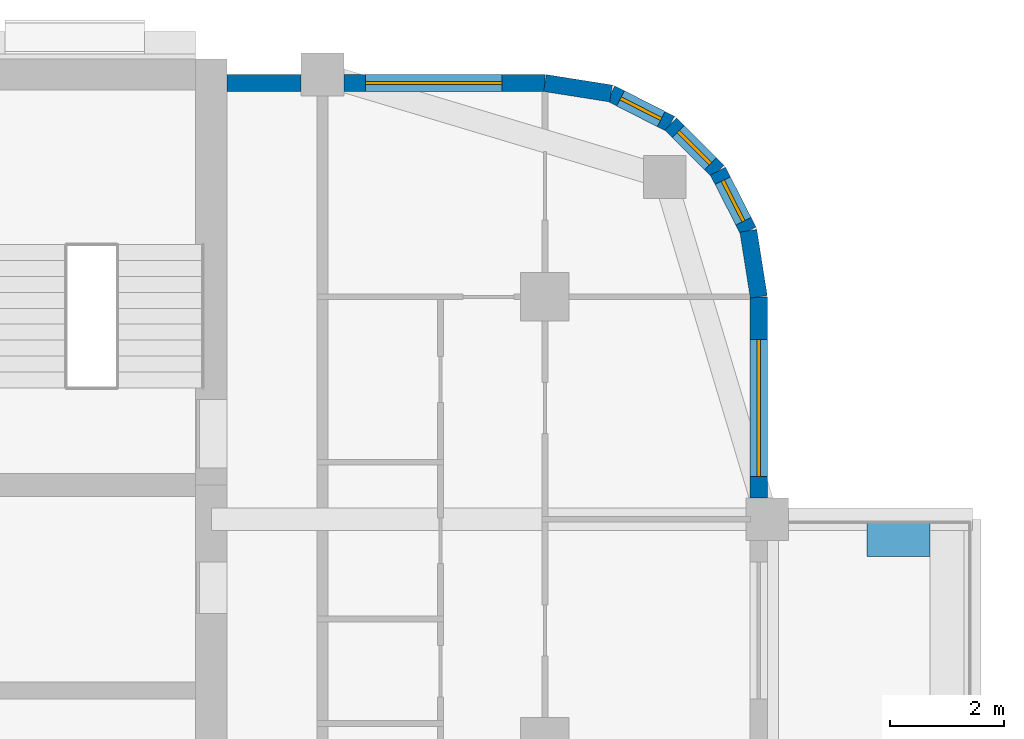
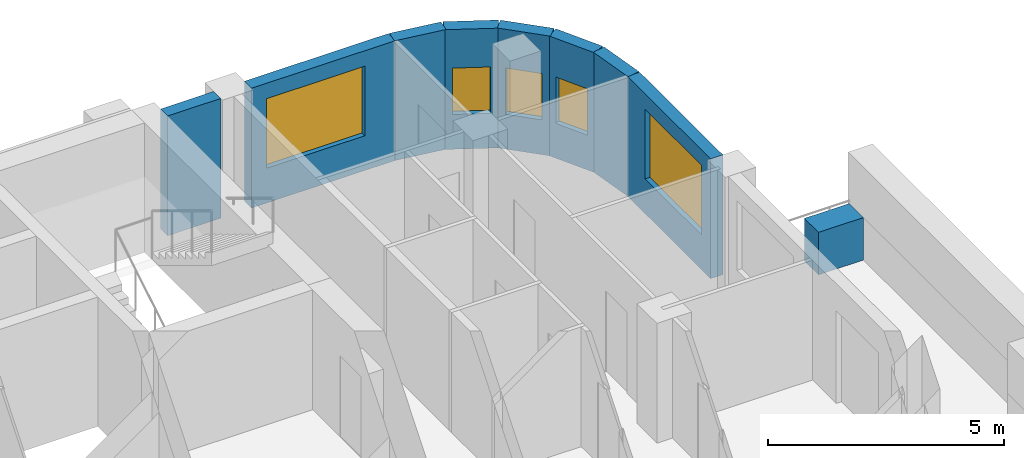
# One storey, part 9 of 13: 9 walls, 5 windows, 5 openings.
"""IFC4 building model written with IfcOpenShell, lengths in metres."""

import ifcopenshell
import ifcopenshell.guid

model = None  # the IFC model being written
_history = None  # IfcOwnerHistory: only IFC2X3 demands one
_inside = {}  # id of a spatial element -> (the spatial element, [elements in it])
_under = {}  # id of a project, library or spatial element -> (it, [spatial elements below it])
_declared = {}  # id of a project -> (the project, [libraries it declares])
_typed = {}  # id of a type object -> (the type object, [elements of that type])
_made_of = {}  # id of a material, layer set ... -> (it, [elements and type objects made of it])


def new_model(schema):
    """Start an empty IFC model of exactly this schema.

    Asked for "IFC4X3", IfcOpenShell would pick the latest addendum, in which some entities
    have other attributes; the version numbers below select the first issue.
    IFC2X3 requires an IfcOwnerHistory on every rooted entity: one is made here for all.
    """
    global model, _history
    if schema == "IFC4X3":
        model = ifcopenshell.file(schema_version=(4, 3, 0, 0))
    else:
        model = ifcopenshell.file(schema=schema)
    _inside.clear()
    _under.clear()
    _declared.clear()
    _typed.clear()
    _made_of.clear()
    _history = None
    if model.schema == "IFC2X3":
        org = make("IfcOrganization", Name="unknown")
        user = make(
            "IfcPersonAndOrganization",
            ThePerson=make("IfcPerson", FamilyName="unknown"),
            TheOrganization=org,
        )
        app = make(
            "IfcApplication",
            ApplicationDeveloper=org,
            Version="unknown",
            ApplicationFullName="unknown",
            ApplicationIdentifier="unknown",
        )
        _history = make(
            "IfcOwnerHistory",
            OwningUser=user,
            OwningApplication=app,
            ChangeAction="ADDED",
            CreationDate=0,
        )
    return model


def make(cls, **values):
    """One entity of the class cls with the attributes given. An attribute that is None is left unset."""
    return model.create_entity(
        cls, **{name: value for name, value in values.items() if value is not None}
    )


def rooted(cls, **values):
    """An entity with a GlobalId (a new one), such as an element, a storey or a relation."""
    return make(cls, GlobalId=ifcopenshell.guid.new(), OwnerHistory=_history, **values)


def si_unit(unit_type, name, prefix=None):
    """IfcSIUnit, for example si_unit("LENGTHUNIT", "METRE", prefix="MILLI")."""
    return make("IfcSIUnit", UnitType=unit_type, Prefix=prefix, Name=name)


def assignment(units):
    """IfcUnitAssignment: the units of a project."""
    return None if units is None else make("IfcUnitAssignment", Units=units)


def point(xyz):
    """IfcCartesianPoint."""
    return None if xyz is None else make("IfcCartesianPoint", Coordinates=xyz)


def direction(xyz):
    """IfcDirection."""
    return None if xyz is None else make("IfcDirection", DirectionRatios=xyz)


def frame(location, z_axis=None, x_axis=None):
    """IfcAxis2Placement3D, a coordinate frame: its origin and axes. An axis left out is left unset."""
    return make(
        "IfcAxis2Placement3D",
        Location=point(location),
        Axis=direction(z_axis),
        RefDirection=direction(x_axis),
    )


def frame_2d(location, x_axis=None):
    """IfcAxis2Placement2D, a coordinate frame in the plane: its origin and x axis."""
    return make(
        "IfcAxis2Placement2D", Location=point(location), RefDirection=direction(x_axis)
    )


def origin():
    """The frame at (0, 0, 0) with its axes left unset."""
    return frame((0.0, 0.0, 0.0))


def place(relative_to, where):
    """IfcLocalPlacement: puts the frame where relative to a parent placement (None: the world)."""
    return make(
        "IfcLocalPlacement", PlacementRelTo=relative_to, RelativePlacement=where
    )


def context(
    kind, dimensions, precision=None, world=None, true_north=None, identifier=None
):
    """IfcGeometricRepresentationContext, for example the 3D "Model" context."""
    return make(
        "IfcGeometricRepresentationContext",
        ContextIdentifier=identifier,
        ContextType=kind,
        CoordinateSpaceDimension=dimensions,
        Precision=precision,
        WorldCoordinateSystem=world,
        TrueNorth=true_north,
    )


def subcontext(parent, identifier, kind, view, scale=None):
    """IfcGeometricRepresentationSubContext, for example "Body" below "Model"."""
    return make(
        "IfcGeometricRepresentationSubContext",
        ContextIdentifier=identifier,
        ContextType=kind,
        ParentContext=parent,
        TargetScale=scale,
        TargetView=view,
    )


def project(units=None, contexts=None):
    """IfcProject with its units and contexts."""
    return rooted(
        "IfcProject",
        Name="project",
        RepresentationContexts=contexts,
        UnitsInContext=assignment(units),
    )


def spatial(cls, under=None, at=None, **own):
    """A site, building, storey or space (cls), placed at a placement, below another one or the project."""
    s = rooted(cls, ObjectPlacement=at, **own)
    if under is not None:
        _under.setdefault(under.id(), (under, []))[1].append(s)
    return s


def profile(cls, at=None, kind="AREA", **sizes):
    """A parametric profile (cls). Its sizes go by their IFC names, for example OverallWidth=200.0."""
    return make(cls, ProfileType=kind, Position=at, **sizes)


def rectangle(**sizes):
    """IfcRectangleProfileDef."""
    return profile("IfcRectangleProfileDef", **sizes)


def extrude(swept, where, along, depth):
    """IfcExtrudedAreaSolid: the profile swept, set in the frame where, extruded along a direction by depth."""
    return make(
        "IfcExtrudedAreaSolid",
        SweptArea=swept,
        Position=where,
        ExtrudedDirection=direction(along),
        Depth=depth,
    )


def shape(context_of_items, identifier, shape_type, items):
    """IfcShapeRepresentation: the items that make up one representation, for example the "Body"."""
    return make(
        "IfcShapeRepresentation",
        ContextOfItems=context_of_items,
        RepresentationIdentifier=identifier,
        RepresentationType=shape_type,
        Items=items,
    )


def material(Name=None, Category=None):
    """IfcMaterial."""
    return make("IfcMaterial", Name=Name, Category=Category)


def layer(
    of_material, thickness, ventilated=None, Name=None, Category=None, Priority=None
):
    """IfcMaterialLayer: one layer of a wall or slab, of a material (None: an air gap)."""
    return make(
        "IfcMaterialLayer",
        Material=of_material,
        LayerThickness=thickness,
        IsVentilated=ventilated,
        Name=Name,
        Category=Category,
        Priority=Priority,
    )


def layer_set(layers, Name=None):
    """IfcMaterialLayerSet."""
    return make("IfcMaterialLayerSet", MaterialLayers=layers, LayerSetName=Name)


def made_of(thing, what):
    """Note that an element or type object is made of a material, layer set ...; save() writes the relation."""
    if what is not None:
        _made_of.setdefault(what.id(), (what, []))[1].append(thing)
    return thing


def type_object(cls, material=None, **own):
    """A type object (cls), such as IfcWallType, which elements share."""
    return made_of(rooted(cls, **own), material)


def element(
    cls,
    number,
    at=None,
    inside=None,
    cuts=None,
    type_object=None,
    material=None,
    context=None,
    identifier="Body",
    shape_type=None,
    held_by="IfcProductDefinitionShape",
    body=None,
    shapes=None,
    **own,
):
    """One element of the class cls, such as IfcWall. Its Tag is "e" and its number.

    at: its placement. inside: the storey or other place that contains it. cuts: it is an
    opening in that element (IfcRelVoidsElement). A single representation is given by context,
    identifier, shape_type and body (its items); several are given by shapes. held_by: the class
    of the entity that holds the representations. save() writes the other relations.
    """
    e = rooted(cls, Tag="e%d" % number, ObjectPlacement=at, **own)
    if body is not None:
        shapes = [shape(context, identifier, shape_type, body)]
    if shapes is not None:
        e.Representation = make(held_by, Representations=shapes)
    if inside is not None:
        _inside.setdefault(inside.id(), (inside, []))[1].append(e)
    if cuts is not None:
        rooted(
            "IfcRelVoidsElement", RelatingBuildingElement=cuts, RelatedOpeningElement=e
        )
    if type_object is not None:
        _typed.setdefault(type_object.id(), (type_object, []))[1].append(e)
    return made_of(e, material)


def fill(opening, filler):
    """IfcRelFillsElement: the door or window that sits in an opening."""
    return rooted(
        "IfcRelFillsElement",
        RelatingOpeningElement=opening,
        RelatedBuildingElement=filler,
    )


def aggregate(whole, parts):
    """IfcRelAggregates: a whole, such as a stair, and the parts it consists of."""
    return rooted("IfcRelAggregates", RelatingObject=whole, RelatedObjects=parts)


def save(model, path):
    """Write the relations noted so far, then the file.

    IfcRelAggregates (storeys below a building ...), IfcRelContainedInSpatialStructure (elements
    in a storey), IfcRelDefinesByType, IfcRelAssociatesMaterial and IfcRelDeclares: one each for
    every whole, place, type object, material and project.
    """
    for whole, parts in _under.values():
        aggregate(whole, parts)
    for where, things in _inside.values():
        rooted(
            "IfcRelContainedInSpatialStructure",
            RelatedElements=things,
            RelatingStructure=where,
        )
    for kind, things in _typed.values():
        rooted("IfcRelDefinesByType", RelatedObjects=things, RelatingType=kind)
    for what, things in _made_of.values():
        rooted("IfcRelAssociatesMaterial", RelatedObjects=things, RelatingMaterial=what)
    for by, libraries in _declared.values():
        rooted("IfcRelDeclares", RelatingContext=by, RelatedDefinitions=libraries)
    model.write(path)


model = new_model("IFC4")

# Units and contexts
model_context = context("Model", 3, precision=1e-05, world=origin(), true_north=direction((0.0, 1.0)))
body_context = subcontext(model_context, "Body", "Model", "MODEL_VIEW")
ifc_project = project(units=[si_unit("LENGTHUNIT", "METRE"), si_unit("AREAUNIT", "SQUARE_METRE"), si_unit("VOLUMEUNIT", "CUBIC_METRE"), si_unit("PLANEANGLEUNIT", "RADIAN"), si_unit("MASSUNIT", "GRAM", prefix="KILO")], contexts=[model_context])

# Site, building, storey
site_placement = place(None, origin())
site = spatial("IfcSite", under=ifc_project, at=site_placement, CompositionType="ELEMENT")
building_placement = place(site_placement, origin())
building = spatial("IfcBuilding", under=site, at=building_placement, Name="Ludao Terraces", CompositionType="ELEMENT")
storey_placement = place(building_placement, frame((0.0, 0.0, 169.0)))
storey = spatial("IfcBuildingStorey", under=building, at=storey_placement, Name="L46", CompositionType="ELEMENT", Elevation=169.0)

# Wall
ifc_material_1 = material(Name="Concrete C40", Category="concrete")
ifc_layer_1 = layer(ifc_material_1, 0.60009765625)
ifc_layer_set_1 = layer_set([ifc_layer_1], Name="ENV Planter trough 600")
wall_type_1 = type_object("IfcWallType", Name="ENV Planter trough 600", PredefinedType="USERDEFINED", material=ifc_layer_set_1)
wall_1_placement = place(storey_placement, frame((107.35009765625, 76.35009765625, 0.0), z_axis=(0.0, 0.0, 1.0), x_axis=(-1.0, 0.0, 0.0)))
element("IfcWall", 1, at=wall_1_placement, inside=storey, type_object=wall_type_1, Name="PL-L46-E3-SB", ObjectType="PLANTER", PredefinedType="USERDEFINED", context=body_context, shape_type="SweptSolid", body=[
    extrude(rectangle(XDim=1.10009765625, YDim=0.60009765625, at=frame_2d((0.550048828125, 0.0))), origin(), (0.0, 0.0, 1.0), 1.10009765625),
])

# Wall, opening, window
ifc_material_2 = material(Name="Granite cladding", Category="masonry")
ifc_layer_2 = layer(ifc_material_2, 0.0400390625, Category="stone")
ifc_material_3 = material(Name="Mineral wool")
ifc_layer_3 = layer(ifc_material_3, 0.06005859375)
ifc_layer_4 = layer(ifc_material_1, 0.199951171875, Category="concrete")
ifc_layer_set_2 = layer_set([ifc_layer_2, ifc_layer_3, ifc_layer_4], Name="ENV Stone-clad wall 300")
wall_type_2 = type_object("IfcWallType", Name="ENV Stone-clad wall 300", PredefinedType="SOLIDWALL", material=ifc_layer_set_2)
wall_2_placement = place(storey_placement, frame((104.35009765625, 77.074951171875, 0.0), z_axis=(0.0, 0.0, 1.0), x_axis=(0.0, 1.0, 0.0)))
wall_2 = element("IfcWall", 2, at=wall_2_placement, inside=storey, type_object=wall_type_2, Name="EW-L46-E5", PredefinedType="SOLIDWALL", context=body_context, shape_type="SweptSolid", body=[
    extrude(rectangle(XDim=3.525146484375, YDim=0.300048828125, at=frame_2d((1.7626953125, 0.0))), origin(), (0.0, 0.0, 1.0), 3.10009765625),
])
opening_1_placement = place(wall_2_placement, frame((0.375, 0.0, 0.89990234375)))
opening_1 = element("IfcOpeningElement", 3, at=opening_1_placement, cuts=wall_2, Name="Opening W1", PredefinedType="OPENING", context=body_context, shape_type="SweptSolid", body=[
    extrude(rectangle(XDim=2.39990234375, YDim=1.800048828125, at=frame_2d((1.199951171875, 0.89990234375))), frame((0.0, 0.16015625, 0.0), z_axis=(0.0, -1.0, 0.0), x_axis=(1.0, 0.0, 0.0)), (0.0, 0.0, 1.0), 0.320068359375),
])
ifc_material_4 = material(Name="Clear glass in aluminium frame", Category="aluminium")
ifc_layer_5 = layer(ifc_material_4, 0.06005859375)
ifc_layer_set_3 = layer_set([ifc_layer_5], Name="ENV Window W1 2400x1800")
window_type_1 = type_object("IfcWindowType", Name="ENV Window W1 2400x1800", PartitioningType="DOUBLE_PANEL_VERTICAL", PredefinedType="WINDOW", material=ifc_layer_set_3)
window_1_placement = place(opening_1_placement, origin())
window_1 = element("IfcWindow", 4, at=window_1_placement, inside=storey, type_object=window_type_1, Name="W-L46-E5-1", OverallHeight=1.800048828125, OverallWidth=2.39990234375, PartitioningType="DOUBLE_PANEL_VERTICAL", PredefinedType="WINDOW", context=body_context, shape_type="SweptSolid", body=[
    extrude(rectangle(XDim=2.39990234375, YDim=1.800048828125, at=frame_2d((1.199951171875, 0.89990234375))), frame((0.0, 0.030029296875, 0.0), z_axis=(0.0, -1.0, 0.0), x_axis=(1.0, 0.0, 0.0)), (0.0, 0.0, 1.0), 0.06005859375),
])
fill(opening_1, window_1)

# Wall
wall_3_placement = place(storey_placement, frame((95.02490234375, 84.35009765625, 0.0), z_axis=(0.0, 0.0, 1.0), x_axis=(1.0, 0.0, 0.0)))
element("IfcWall", 5, at=wall_3_placement, inside=storey, type_object=wall_type_2, Name="EW-L46-N3", PredefinedType="SOLIDWALL", context=body_context, shape_type="SweptSolid", body=[
    extrude(rectangle(XDim=1.300048828125, YDim=0.300048828125, at=frame_2d((0.64990234375, 0.0))), origin(), (0.0, 0.0, 1.0), 3.10009765625),
])

# Wall, opening, window
wall_4_placement = place(storey_placement, frame((97.074951171875, 84.35009765625, 0.0), z_axis=(0.0, 0.0, 1.0), x_axis=(1.0, 0.0, 0.0)))
wall_4 = element("IfcWall", 6, at=wall_4_placement, inside=storey, type_object=wall_type_2, Name="EW-L46-N4", PredefinedType="SOLIDWALL", context=body_context, shape_type="SweptSolid", body=[
    extrude(rectangle(XDim=3.525146484375, YDim=0.300048828125, at=frame_2d((1.7626953125, 0.0))), origin(), (0.0, 0.0, 1.0), 3.10009765625),
])
opening_2_placement = place(wall_4_placement, frame((0.375, 0.0, 0.89990234375)))
opening_2 = element("IfcOpeningElement", 7, at=opening_2_placement, cuts=wall_4, Name="Opening W1", PredefinedType="OPENING", context=body_context, shape_type="SweptSolid", body=[
    extrude(rectangle(XDim=2.39990234375, YDim=1.800048828125, at=frame_2d((1.199951171875, 0.89990234375))), frame((0.0, 0.16015625, 0.0), z_axis=(0.0, -1.0, 0.0), x_axis=(1.0, 0.0, 0.0)), (0.0, 0.0, 1.0), 0.320068359375),
])
window_2_placement = place(opening_2_placement, origin())
window_2 = element("IfcWindow", 8, at=window_2_placement, inside=storey, type_object=window_type_1, Name="W-L46-N4-1", OverallHeight=1.800048828125, OverallWidth=2.39990234375, PartitioningType="DOUBLE_PANEL_VERTICAL", PredefinedType="WINDOW", context=body_context, shape_type="SweptSolid", body=[
    extrude(rectangle(XDim=2.39990234375, YDim=1.800048828125, at=frame_2d((1.199951171875, 0.89990234375))), frame((0.0, 0.030029296875, 0.0), z_axis=(0.0, -1.0, 0.0), x_axis=(1.0, 0.0, 0.0)), (0.0, 0.0, 1.0), 0.06005859375),
])
fill(opening_2, window_2)

# Wall
wall_5_placement = place(storey_placement, frame((104.35009765625, 80.60009765625, 0.0), z_axis=(0.0, 0.0, 1.0), x_axis=(-0.156496880861, 0.987678452879, 0.0)))
element("IfcWall", 9, at=wall_5_placement, inside=storey, type_object=wall_type_2, Name="EW-L46-NE1", PredefinedType="SOLIDWALL", context=body_context, shape_type="SweptSolid", body=[
    extrude(rectangle(XDim=1.173095703125, YDim=0.300048828125, at=frame_2d((0.58642578125, 0.0))), origin(), (0.0, 0.0, 1.0), 3.10009765625),
])

# Wall, opening, window
wall_6_placement = place(storey_placement, frame((104.16650390625, 81.7587890625, 0.0), z_axis=(0.0, 0.0, 1.0), x_axis=(-0.454025524128, 0.890988677504, 0.0)))
wall_6 = element("IfcWall", 10, at=wall_6_placement, inside=storey, type_object=wall_type_2, Name="EW-L46-NE2", PredefinedType="SOLIDWALL", context=body_context, shape_type="SweptSolid", body=[
    extrude(rectangle(XDim=1.17333984375, YDim=0.300048828125, at=frame_2d((0.586669921875, 0.0))), origin(), (0.0, 0.0, 1.0), 3.10009765625),
])
opening_3_placement = place(wall_6_placement, frame((0.1865234375, 0.0, 0.89990234375)))
opening_3 = element("IfcOpeningElement", 11, at=opening_3_placement, cuts=wall_6, Name="Opening W3", PredefinedType="OPENING", context=body_context, shape_type="SweptSolid", body=[
    extrude(rectangle(XDim=0.800048828125, YDim=1.199951171875, at=frame_2d((0.39990234375, 0.60009765625))), frame((0.0, 0.16015625, 0.0), z_axis=(0.0, -1.0, 0.0), x_axis=(1.0, 0.0, 0.0)), (0.0, 0.0, 1.0), 0.320068359375),
])
ifc_layer_6 = layer(ifc_material_4, 0.06005859375)
ifc_layer_set_4 = layer_set([ifc_layer_6], Name="ENV Window W3 800x1200")
window_type_2 = type_object("IfcWindowType", Name="ENV Window W3 800x1200", PartitioningType="SINGLE_PANEL", PredefinedType="WINDOW", material=ifc_layer_set_4)
window_3_placement = place(opening_3_placement, origin())
window_3 = element("IfcWindow", 12, at=window_3_placement, inside=storey, type_object=window_type_2, Name="W-L46-NE2", OverallHeight=1.199951171875, OverallWidth=0.800048828125, PartitioningType="SINGLE_PANEL", PredefinedType="WINDOW", context=body_context, shape_type="SweptSolid", body=[
    extrude(rectangle(XDim=0.800048828125, YDim=1.199951171875, at=frame_2d((0.39990234375, 0.60009765625))), frame((0.0, 0.030029296875, 0.0), z_axis=(0.0, -1.0, 0.0), x_axis=(1.0, 0.0, 0.0)), (0.0, 0.0, 1.0), 0.06005859375),
])
fill(opening_3, window_3)

wall_7_placement = place(storey_placement, frame((103.6337890625, 82.80419921875, 0.0), z_axis=(0.0, 0.0, 1.0), x_axis=(-0.707106781187, 0.707106781187, 0.0)))
wall_7 = element("IfcWall", 13, at=wall_7_placement, inside=storey, type_object=wall_type_2, Name="EW-L46-NE3", PredefinedType="SOLIDWALL", context=body_context, shape_type="SweptSolid", body=[
    extrude(rectangle(XDim=1.173095703125, YDim=0.300048828125, at=frame_2d((0.58642578125, 0.0))), origin(), (0.0, 0.0, 1.0), 3.10009765625),
])
opening_4_placement = place(wall_7_placement, frame((0.1865234375, 0.0, 0.89990234375)))
opening_4 = element("IfcOpeningElement", 14, at=opening_4_placement, cuts=wall_7, Name="Opening W3", PredefinedType="OPENING", context=body_context, shape_type="SweptSolid", body=[
    extrude(rectangle(XDim=0.800048828125, YDim=1.199951171875, at=frame_2d((0.39990234375, 0.60009765625))), frame((0.0, 0.16015625, 0.0), z_axis=(0.0, -1.0, 0.0), x_axis=(1.0, 0.0, 0.0)), (0.0, 0.0, 1.0), 0.320068359375),
])
window_4_placement = place(opening_4_placement, origin())
window_4 = element("IfcWindow", 15, at=window_4_placement, inside=storey, type_object=window_type_2, Name="W-L46-NE3", OverallHeight=1.199951171875, OverallWidth=0.800048828125, PartitioningType="SINGLE_PANEL", PredefinedType="WINDOW", context=body_context, shape_type="SweptSolid", body=[
    extrude(rectangle(XDim=0.800048828125, YDim=1.199951171875, at=frame_2d((0.39990234375, 0.60009765625))), frame((0.0, 0.030029296875, 0.0), z_axis=(0.0, -1.0, 0.0), x_axis=(1.0, 0.0, 0.0)), (0.0, 0.0, 1.0), 0.06005859375),
])
fill(opening_4, window_4)

wall_8_placement = place(storey_placement, frame((102.80419921875, 83.6337890625, 0.0), z_axis=(0.0, 0.0, 1.0), x_axis=(-0.890988677504, 0.454025524128, 0.0)))
wall_8 = element("IfcWall", 16, at=wall_8_placement, inside=storey, type_object=wall_type_2, Name="EW-L46-NE4", PredefinedType="SOLIDWALL", context=body_context, shape_type="SweptSolid", body=[
    extrude(rectangle(XDim=1.17333984375, YDim=0.300048828125, at=frame_2d((0.586669921875, 0.0))), origin(), (0.0, 0.0, 1.0), 3.10009765625),
])
opening_5_placement = place(wall_8_placement, frame((0.1865234375, 0.0, 0.89990234375)))
opening_5 = element("IfcOpeningElement", 17, at=opening_5_placement, cuts=wall_8, Name="Opening W3", PredefinedType="OPENING", context=body_context, shape_type="SweptSolid", body=[
    extrude(rectangle(XDim=0.800048828125, YDim=1.199951171875, at=frame_2d((0.39990234375, 0.60009765625))), frame((0.0, 0.16015625, 0.0), z_axis=(0.0, -1.0, 0.0), x_axis=(1.0, 0.0, 0.0)), (0.0, 0.0, 1.0), 0.320068359375),
])
window_5_placement = place(opening_5_placement, origin())
window_5 = element("IfcWindow", 18, at=window_5_placement, inside=storey, type_object=window_type_2, Name="W-L46-NE4", OverallHeight=1.199951171875, OverallWidth=0.800048828125, PartitioningType="SINGLE_PANEL", PredefinedType="WINDOW", context=body_context, shape_type="SweptSolid", body=[
    extrude(rectangle(XDim=0.800048828125, YDim=1.199951171875, at=frame_2d((0.39990234375, 0.60009765625))), frame((0.0, 0.030029296875, 0.0), z_axis=(0.0, -1.0, 0.0), x_axis=(1.0, 0.0, 0.0)), (0.0, 0.0, 1.0), 0.06005859375),
])
fill(opening_5, window_5)

# Wall
wall_9_placement = place(storey_placement, frame((101.7587890625, 84.16650390625, 0.0), z_axis=(0.0, 0.0, 1.0), x_axis=(-0.987678452879, 0.156496880861, 0.0)))
element("IfcWall", 19, at=wall_9_placement, inside=storey, type_object=wall_type_2, Name="EW-L46-NE5", PredefinedType="SOLIDWALL", context=body_context, shape_type="SweptSolid", body=[
    extrude(rectangle(XDim=1.173095703125, YDim=0.300048828125, at=frame_2d((0.58642578125, 0.0))), origin(), (0.0, 0.0, 1.0), 3.10009765625),
])

save(model, "model.ifc")
